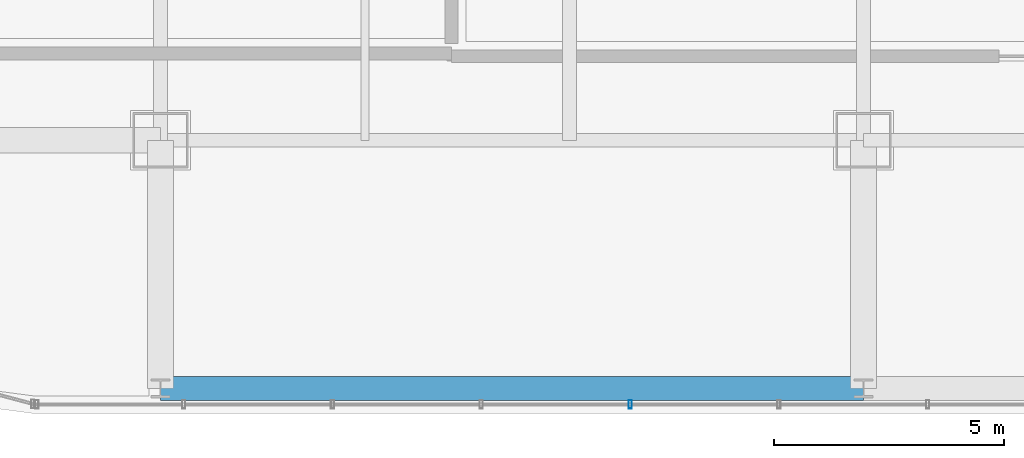
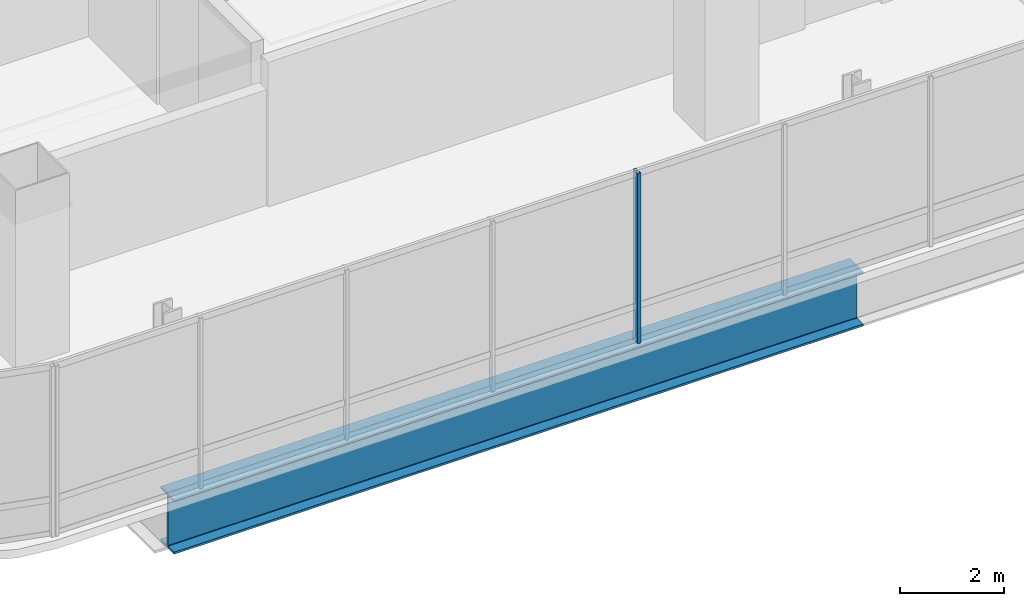
# One storey, part 3 of 42: 1 beam, 1 member, 1 element without a shape of its own.
"""IFC4 building model written with IfcOpenShell, lengths in metres."""

from ifc_helpers import new_model, si_unit, direction, frame, origin, origin_2d, place, context, subcontext, project, spatial, hollow_rectangle, i_section, extrude, material, material_profile, profile_set, type_object, element, aggregate, save


model = new_model("IFC4")

# Units and contexts
model_context = context("Model", 3, precision=1e-05, world=origin(), true_north=direction((0.0, 1.0)))
body_context = subcontext(model_context, "Body", "Model", "MODEL_VIEW")
ifc_project = project(units=[si_unit("LENGTHUNIT", "METRE"), si_unit("AREAUNIT", "SQUARE_METRE"), si_unit("VOLUMEUNIT", "CUBIC_METRE"), si_unit("PLANEANGLEUNIT", "RADIAN"), si_unit("MASSUNIT", "GRAM", prefix="KILO")], contexts=[model_context])

# Site, building, storey
site_placement = place(None, origin())
site = spatial("IfcSite", under=ifc_project, at=site_placement, CompositionType="ELEMENT")
building_placement = place(site_placement, origin())
building = spatial("IfcBuilding", under=site, at=building_placement, Name="Punatoya Terracotta Tower", CompositionType="ELEMENT")
storey_placement = place(building_placement, frame((0.0, 0.0, 325.800048828125)))
storey = spatial("IfcBuildingStorey", under=building, at=storey_placement, Name="L77", CompositionType="ELEMENT", Elevation=325.800048828125)

# Beam
ifc_material_1 = material(Name="Steel S460", Category="steel")
ifc_material_profile_1 = material_profile(ifc_material_1, i_section(OverallWidth=0.52001953125, OverallDepth=1.280029296875, WebThickness=0.031982421875, FlangeThickness=0.050048828125, FilletRadius=0.01806640625, at=origin_2d()))
ifc_profile_set_1 = profile_set([ifc_material_profile_1], Name="Steel S460")
beam_type = type_object("IfcBeamType", Name="BM-TG-NCK", PredefinedType="BEAM", material=ifc_profile_set_1)
beam_placement = place(storey_placement, frame((-19.10009765625, -22.89990234375, -0.840087890625), z_axis=(1.0, 0.0, 0.0), x_axis=(0.0, 1.0, 0.0)))
element("IfcBeam", 1, at=beam_placement, inside=storey, type_object=beam_type, Name="BM-L77-PER-S1", PredefinedType="BEAM", context=body_context, shape_type="SweptSolid", body=[
    extrude(i_section(OverallWidth=0.52001953125, OverallDepth=1.280029296875, WebThickness=0.031982421875, FlangeThickness=0.050048828125, FilletRadius=0.01806640625, at=origin_2d()), origin(), (0.0, 0.0, 1.0), 15.300048828125),
])

# Curtain wall, member
ifc_material_2 = material(Name="Aluminium 6063-T6 + Double Low-E Glass", Category="aluminium")
curtain_wall_type = type_object("IfcCurtainWallType", Name="CW-OBS", PredefinedType="NOTDEFINED", material=ifc_material_2)
curtain_wall_placement = place(storey_placement, origin())
curtain_wall = element("IfcCurtainWall", 2, at=curtain_wall_placement, inside=storey, type_object=curtain_wall_type, Name="L77 Curtain Wall CW-L77-S01-1", PredefinedType="NOTDEFINED")
ifc_material_3 = material(Name="Aluminium 6063-T6", Category="aluminium")
ifc_material_profile_2 = material_profile(ifc_material_3, hollow_rectangle(XDim=0.070068359375, YDim=0.179931640625, WallThickness=0.00390625, at=origin_2d()))
ifc_profile_set_2 = profile_set([ifc_material_profile_2], Name="Aluminium 6063-T6")
member_type = type_object("IfcMemberType", Name="CW-MUL-M3", PredefinedType="MULLION", material=ifc_profile_set_2)
member_placement = place(storey_placement, frame((-8.87890625, -23.25, 0.0), z_axis=(0.0, 0.0, 1.0), x_axis=(1.0, 0.0, 0.0)))
member = element("IfcMember", 3, at=member_placement, type_object=member_type, Name="CW-L77-S01-1 Mullion 04", PredefinedType="MULLION", context=body_context, shape_type="SweptSolid", body=[
    extrude(hollow_rectangle(XDim=0.070068359375, YDim=0.179931640625, WallThickness=0.00390625, at=origin_2d()), origin(), (0.0, 0.0, 1.0), 4.0),
])
aggregate(curtain_wall, [member])

save(model, "model.ifc")
